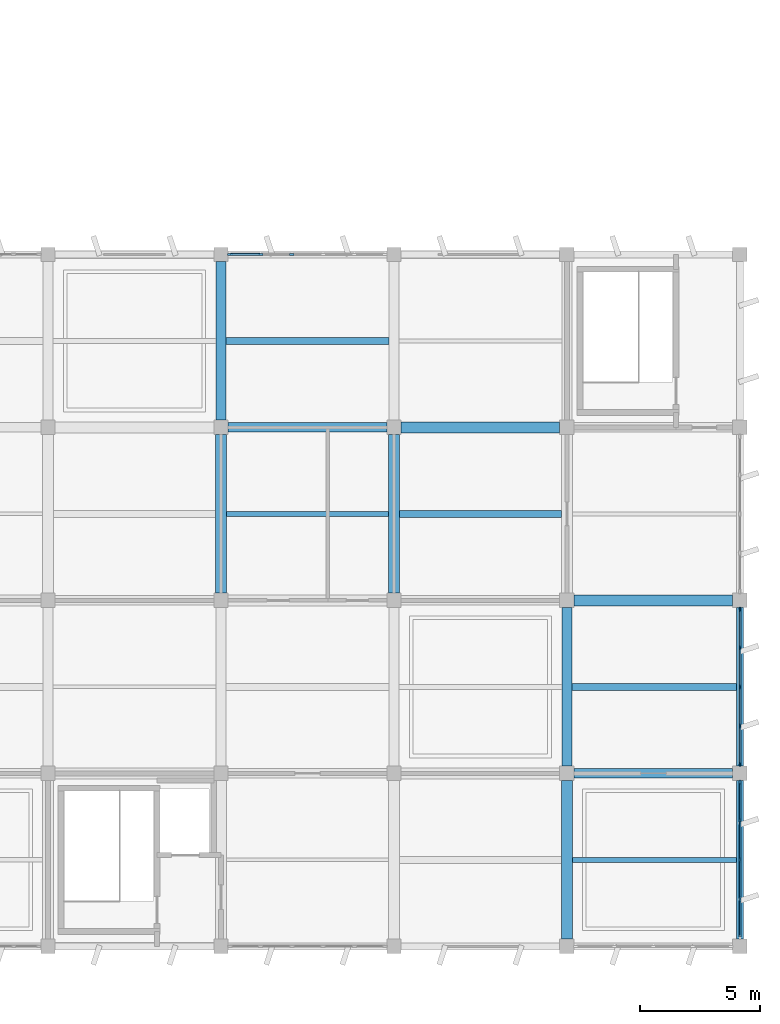
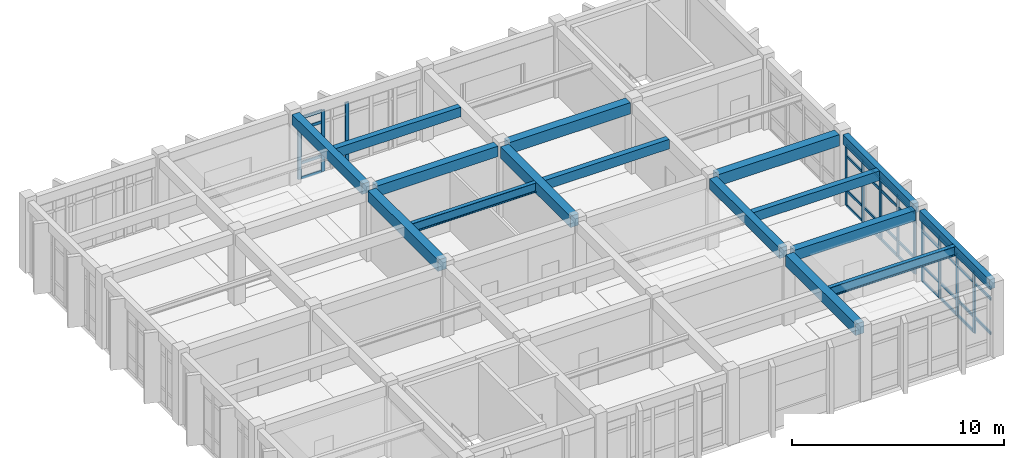
# One storey, part 23 of 70: 49 members, 14 beams, 3 elements without a shape of their own.
"""IFC4 building model written with IfcOpenShell, lengths in metres."""

from ifc_helpers import new_model, si_unit, direction, frame, origin, origin_2d, place, context, subcontext, project, spatial, rectangle, i_section, extrude, material, layer, layer_set, material_profile, profile_set, type_object, element, aggregate, save


model = new_model("IFC4")

# Units and contexts
model_context = context("Model", 3, precision=1e-05, world=origin(), true_north=direction((0.0, 1.0)))
body_context = subcontext(model_context, "Body", "Model", "MODEL_VIEW")
ifc_project = project(units=[si_unit("LENGTHUNIT", "METRE"), si_unit("AREAUNIT", "SQUARE_METRE"), si_unit("VOLUMEUNIT", "CUBIC_METRE"), si_unit("PLANEANGLEUNIT", "RADIAN"), si_unit("MASSUNIT", "GRAM", prefix="KILO")], contexts=[model_context])

# Site, building, storey
site_placement = place(None, origin())
site = spatial("IfcSite", under=ifc_project, at=site_placement, CompositionType="ELEMENT")
building_placement = place(site_placement, origin())
building = spatial("IfcBuilding", under=site, at=building_placement, Name="Kavelor Marine Aquarium", CompositionType="ELEMENT")
storey_placement = place(building_placement, frame((0.0, 0.0, 9.179931640625)))
storey = spatial("IfcBuildingStorey", under=building, at=storey_placement, Name="L02", CompositionType="ELEMENT", Elevation=9.179931640625)

# Beams
ifc_material_1 = material(Name="Concrete C40/50", Category="concrete")
ifc_material_profile_1 = material_profile(ifc_material_1, rectangle(XDim=0.449951171875, YDim=0.64990234375, at=origin_2d()), Name="RC-BM 450x650")
ifc_profile_set_1 = profile_set([ifc_material_profile_1], Name="Concrete C40/50")
beam_type_1 = type_object("IfcBeamType", Name="BM-B3", PredefinedType="BEAM", material=ifc_profile_set_1)
beam_1_placement = place(storey_placement, frame((140.300048828125, 24.39990234375, 3.755126953125), z_axis=(1.0, 0.0, 0.0), x_axis=(0.0, 1.0, 0.0)))
element("IfcBeam", 1, at=beam_1_placement, inside=storey, type_object=beam_type_1, Name="bm:x:L02:L03:19_03", PredefinedType="BEAM", context=body_context, shape_type="SweptSolid", body=[
    extrude(rectangle(XDim=0.449951171875, YDim=0.64990234375, at=origin_2d()), origin(), (0.0, 0.0, 1.0), 6.599853515625),
])
for number, where, z_axis, x_axis, name in (
    (2, (147.5, 17.199951171875, 3.755126953125), (1.0, 0.0, 0.0), (0.0, 1.0, 0.0), "bm:x:L02:L03:20_02"),
    (3, (132.800048828125, 17.5, 3.755126953125), (0.0, 1.0, 0.0), (-1.0, 0.0, 0.0), "bm:y:L02:L03:18_02"),
    (4, (140.0, 17.5, 3.755126953125), (0.0, 1.0, 0.0), (-1.0, 0.0, 0.0), "bm:y:L02:L03:19_02"),
):
    element("IfcBeam", number, at=place(storey_placement, frame(where, z_axis=z_axis, x_axis=x_axis)), inside=storey, type_object=beam_type_1, Name=name, PredefinedType="BEAM", context=body_context, shape_type="SweptSolid", body=[
        extrude(rectangle(XDim=0.449951171875, YDim=0.64990234375, at=origin_2d()), origin(), (0.0, 0.0, 1.0), 6.60009765625),
    ])
beam_2_placement = place(storey_placement, frame((147.199951171875, 3.10009765625, 3.755126953125), z_axis=(0.0, 1.0, 0.0), x_axis=(-1.0, 0.0, 0.0)))
element("IfcBeam", 5, at=beam_2_placement, inside=storey, type_object=beam_type_1, Name="bm:y:L02:L03:20_00", PredefinedType="BEAM", context=body_context, shape_type="SweptSolid", body=[
    extrude(rectangle(XDim=0.449951171875, YDim=0.64990234375, at=origin_2d()), origin(), (0.0, 0.0, 1.0), 6.599853515625),
])
ifc_material_2 = material(Name="Concrete C40/50", Category="concrete")
ifc_material_profile_2 = material_profile(ifc_material_2, rectangle(XDim=0.39990234375, YDim=0.60009765625, at=origin_2d()), Name="RC-BM 400x600")
ifc_profile_set_2 = profile_set([ifc_material_profile_2], Name="Concrete C40/50")
beam_type_2 = type_object("IfcBeamType", Name="BM-B4", PredefinedType="BEAM", material=ifc_profile_set_2)
beam_3_placement = place(storey_placement, frame((133.10009765625, 24.39990234375, 3.780029296875), z_axis=(1.0, 0.0, 0.0), x_axis=(0.0, 1.0, 0.0)))
element("IfcBeam", 6, at=beam_3_placement, inside=storey, type_object=beam_type_2, Name="bm:x:L02:L03:18_03", PredefinedType="BEAM", context=body_context, shape_type="SweptSolid", body=[
    extrude(rectangle(XDim=0.39990234375, YDim=0.60009765625, at=origin_2d()), origin(), (0.0, 0.0, 1.0), 6.599853515625),
])
for number, where, z_axis, x_axis, name in (
    (7, (147.5, 10.0, 3.780029296875), (1.0, 0.0, 0.0), (0.0, 1.0, 0.0), "bm:x:L02:L03:20_01"),
    (8, (132.800048828125, 24.699951171875, 3.780029296875), (0.0, 1.0, 0.0), (-1.0, 0.0, 0.0), "bm:y:L02:L03:18_03"),
):
    element("IfcBeam", number, at=place(storey_placement, frame(where, z_axis=z_axis, x_axis=x_axis)), inside=storey, type_object=beam_type_2, Name=name, PredefinedType="BEAM", context=body_context, shape_type="SweptSolid", body=[
        extrude(rectangle(XDim=0.39990234375, YDim=0.60009765625, at=origin_2d()), origin(), (0.0, 0.0, 1.0), 6.60009765625),
    ])
beam_4_placement = place(storey_placement, frame((147.199951171875, 10.300048828125, 3.780029296875), z_axis=(0.0, 1.0, 0.0), x_axis=(-1.0, 0.0, 0.0)))
element("IfcBeam", 9, at=beam_4_placement, inside=storey, type_object=beam_type_2, Name="bm:y:L02:L03:20_01", PredefinedType="BEAM", context=body_context, shape_type="SweptSolid", body=[
    extrude(rectangle(XDim=0.39990234375, YDim=0.60009765625, at=origin_2d()), origin(), (0.0, 0.0, 1.0), 6.599853515625),
])
ifc_material_3 = material(Name="Concrete C40/50", Category="concrete")
ifc_material_profile_3 = material_profile(ifc_material_3, rectangle(XDim=0.300048828125, YDim=0.550048828125, at=origin_2d()), Name="RC-JS 300x550")
ifc_profile_set_3 = profile_set([ifc_material_profile_3], Name="Concrete C40/50")
beam_type_3 = type_object("IfcBeamType", Name="BM-JS2", PredefinedType="JOIST", material=ifc_profile_set_3)
beam_5_placement = place(storey_placement, frame((133.0, 28.0, 3.80517578125), z_axis=(1.0, 0.0, 0.0), x_axis=(0.0, 1.0, 0.0)))
element("IfcBeam", 10, at=beam_5_placement, inside=storey, type_object=beam_type_3, Name="js:L02:L03:18_03", PredefinedType="JOIST", context=body_context, shape_type="SweptSolid", body=[
    extrude(rectangle(XDim=0.300048828125, YDim=0.550048828125, at=origin_2d()), origin(), (0.0, 0.0, 1.0), 6.800048828125),
])
beam_6_placement = place(storey_placement, frame((140.22509765625, 20.800048828125, 3.80517578125), z_axis=(1.0, 0.0, 0.0), x_axis=(0.0, 1.0, 0.0)))
element("IfcBeam", 11, at=beam_6_placement, inside=storey, type_object=beam_type_3, Name="js:L02:L03:19_02", PredefinedType="JOIST", context=body_context, shape_type="SweptSolid", body=[
    extrude(rectangle(XDim=0.300048828125, YDim=0.550048828125, at=origin_2d()), origin(), (0.0, 0.0, 1.0), 6.75),
])
beam_7_placement = place(storey_placement, frame((147.39990234375, 13.60009765625, 3.80517578125), z_axis=(1.0, 0.0, 0.0), x_axis=(0.0, 1.0, 0.0)))
element("IfcBeam", 12, at=beam_7_placement, inside=storey, type_object=beam_type_3, Name="js:L02:L03:20_01", PredefinedType="JOIST", context=body_context, shape_type="SweptSolid", body=[
    extrude(rectangle(XDim=0.300048828125, YDim=0.550048828125, at=origin_2d()), origin(), (0.0, 0.0, 1.0), 6.85009765625),
])
ifc_material_4 = material(Name="Concrete C40/50", Category="concrete")
ifc_material_profile_4 = material_profile(ifc_material_4, rectangle(XDim=0.300048828125, YDim=0.550048828125, at=origin_2d()), Name="RC-SP 300x550")
ifc_profile_set_4 = profile_set([ifc_material_profile_4], Name="Concrete C40/50")
beam_type_4 = type_object("IfcBeamType", Name="BM-SP2", PredefinedType="SPANDREL", material=ifc_profile_set_4)
for number, where, z_axis, x_axis, name in (
    (13, (154.39990234375, 3.10009765625, 3.80517578125), (0.0, 1.0, 0.0), (-1.0, 0.0, 0.0), "bm:y:L02:L03:21_00"),
    (14, (154.39990234375, 10.300048828125, 3.80517578125), (0.0, 1.0, 0.0), (-1.0, 0.0, 0.0), "bm:y:L02:L03:21_01"),
):
    element("IfcBeam", number, at=place(storey_placement, frame(where, z_axis=z_axis, x_axis=x_axis)), inside=storey, type_object=beam_type_4, Name=name, PredefinedType="SPANDREL", context=body_context, shape_type="SweptSolid", body=[
        extrude(rectangle(XDim=0.300048828125, YDim=0.550048828125, at=origin_2d()), origin(), (0.0, 0.0, 1.0), 6.599853515625),
    ])

# Curtain wall, members
ifc_material_5 = material(Name="Thermally Broken Aluminium and Low-E Glass", Category="aluminium")
ifc_layer_1 = layer(ifc_material_5, 0.243896484375)
ifc_layer_set_1 = layer_set([ifc_layer_1], Name="CW-SYS13")
curtain_wall_type_1 = type_object("IfcCurtainWallType", Name="CW-SYS13", PredefinedType="USERDEFINED", material=ifc_layer_set_1)
curtain_wall_1_placement = place(storey_placement, origin())
curtain_wall_1 = element("IfcCurtainWall", 15, at=curtain_wall_1_placement, inside=storey, type_object=curtain_wall_type_1, Name="cw:y:L02:21_01", ObjectType="Curtain Wall", PredefinedType="USERDEFINED")
ifc_material_6 = material(Name="Anodised Aluminium Alloy 6063-T6", Category="aluminium")
ifc_material_profile_5 = material_profile(ifc_material_6, rectangle(XDim=0.074951171875, YDim=0.179931640625, at=origin_2d()), Name="CW-MUL 75x180")
ifc_profile_set_5 = profile_set([ifc_material_profile_5], Name="Anodised Aluminium Alloy 6063-T6")
member_type_1 = type_object("IfcMemberType", Name="CWM-1", PredefinedType="MULLION", material=ifc_profile_set_5)
member_1_placement = place(storey_placement, frame((154.39990234375, 10.382568359375, 0.0), z_axis=(0.0, 0.0, 1.0), x_axis=(-1.0, 0.0, 0.0)))
member_1 = element("IfcMember", 16, at=member_1_placement, type_object=member_type_1, Name="CW13 mullion 1", PredefinedType="MULLION", context=body_context, shape_type="SweptSolid", body=[
    extrude(rectangle(XDim=0.074951171875, YDim=0.179931640625, at=origin_2d()), origin(), (0.0, 0.0, 1.0), 3.52001953125),
])
member_2_placement = place(storey_placement, frame((154.39990234375, 11.972412109375, 0.0), z_axis=(0.0, 0.0, 1.0), x_axis=(-1.0, 0.0, 0.0)))
member_2 = element("IfcMember", 17, at=member_2_placement, type_object=member_type_1, Name="CW13 mullion 2", PredefinedType="MULLION", context=body_context, shape_type="SweptSolid", body=[
    extrude(rectangle(XDim=0.074951171875, YDim=0.179931640625, at=origin_2d()), origin(), (0.0, 0.0, 1.0), 3.52001953125),
])
member_3_placement = place(storey_placement, frame((154.39990234375, 13.60009765625, 0.0), z_axis=(0.0, 0.0, 1.0), x_axis=(-1.0, 0.0, 0.0)))
member_3 = element("IfcMember", 18, at=member_3_placement, type_object=member_type_1, Name="CW13 mullion 3", PredefinedType="MULLION", context=body_context, shape_type="SweptSolid", body=[
    extrude(rectangle(XDim=0.074951171875, YDim=0.179931640625, at=origin_2d()), origin(), (0.0, 0.0, 1.0), 3.52001953125),
])
member_4_placement = place(storey_placement, frame((154.39990234375, 15.2275390625, 0.0), z_axis=(0.0, 0.0, 1.0), x_axis=(-1.0, 0.0, 0.0)))
member_4 = element("IfcMember", 19, at=member_4_placement, type_object=member_type_1, Name="CW13 mullion 4", PredefinedType="MULLION", context=body_context, shape_type="SweptSolid", body=[
    extrude(rectangle(XDim=0.074951171875, YDim=0.179931640625, at=origin_2d()), origin(), (0.0, 0.0, 1.0), 3.52001953125),
])
member_5_placement = place(storey_placement, frame((154.39990234375, 16.8173828125, 0.0), z_axis=(0.0, 0.0, 1.0), x_axis=(-1.0, 0.0, 0.0)))
member_5 = element("IfcMember", 20, at=member_5_placement, type_object=member_type_1, Name="CW13 mullion 5", PredefinedType="MULLION", context=body_context, shape_type="SweptSolid", body=[
    extrude(rectangle(XDim=0.074951171875, YDim=0.179931640625, at=origin_2d()), origin(), (0.0, 0.0, 1.0), 3.52001953125),
])

ifc_material_7 = material(Name="Thermally Broken Aluminium and Low-E Glass", Category="aluminium")
ifc_layer_2 = layer(ifc_material_7, 0.2119140625)
ifc_layer_set_2 = layer_set([ifc_layer_2], Name="CW-SYS9")
curtain_wall_type_2 = type_object("IfcCurtainWallType", Name="CW-SYS9", PredefinedType="USERDEFINED", material=ifc_layer_set_2)
curtain_wall_2_placement = place(storey_placement, origin())
curtain_wall_2 = element("IfcCurtainWall", 21, at=curtain_wall_2_placement, inside=storey, type_object=curtain_wall_type_2, Name="cw:x:L02:18_04", ObjectType="Curtain Wall", PredefinedType="USERDEFINED")
ifc_material_8 = material(Name="Anodised Aluminium Alloy 6063-T6", Category="aluminium")
ifc_material_profile_6 = material_profile(ifc_material_8, rectangle(XDim=0.0849609375, YDim=0.18994140625, at=origin_2d()), Name="CW-MUL 85x190")
ifc_profile_set_6 = profile_set([ifc_material_profile_6], Name="Anodised Aluminium Alloy 6063-T6")
member_type_2 = type_object("IfcMemberType", Name="CWM-3", PredefinedType="MULLION", material=ifc_profile_set_6)
member_6_placement = place(storey_placement, frame((133.175048828125, 31.60009765625, 0.0), z_axis=(0.0, 0.0, 1.0), x_axis=(0.0, 1.0, 0.0)))
member_6 = element("IfcMember", 22, at=member_6_placement, type_object=member_type_2, Name="CW09 mullion 1", PredefinedType="MULLION", context=body_context, shape_type="SweptSolid", body=[
    extrude(rectangle(XDim=0.0849609375, YDim=0.18994140625, at=origin_2d()), origin(), (0.0, 0.0, 1.0), 3.52001953125),
])
member_7_placement = place(storey_placement, frame((134.447021484375, 31.60009765625, 0.0), z_axis=(0.0, 0.0, 1.0), x_axis=(0.0, 1.0, 0.0)))
member_7 = element("IfcMember", 23, at=member_7_placement, type_object=member_type_2, Name="CW09 mullion 2", PredefinedType="MULLION", context=body_context, shape_type="SweptSolid", body=[
    extrude(rectangle(XDim=0.0849609375, YDim=0.18994140625, at=origin_2d()), origin(), (0.0, 0.0, 1.0), 3.52001953125),
])
member_8_placement = place(storey_placement, frame((135.7490234375, 31.60009765625, 0.0), z_axis=(0.0, 0.0, 1.0), x_axis=(0.0, 1.0, 0.0)))
member_8 = element("IfcMember", 24, at=member_8_placement, type_object=member_type_2, Name="CW09 mullion 3", PredefinedType="MULLION", context=body_context, shape_type="SweptSolid", body=[
    extrude(rectangle(XDim=0.0849609375, YDim=0.18994140625, at=origin_2d()), origin(), (0.0, 0.0, 1.0), 3.52001953125),
])

ifc_material_9 = material(Name="Thermally Broken Aluminium and Low-E Glass", Category="aluminium")
ifc_layer_3 = layer(ifc_material_9, 0.236083984375)
ifc_layer_set_3 = layer_set([ifc_layer_3], Name="CW-SYS12")
curtain_wall_type_3 = type_object("IfcCurtainWallType", Name="CW-SYS12", PredefinedType="USERDEFINED", material=ifc_layer_set_3)
curtain_wall_3_placement = place(storey_placement, origin())
curtain_wall_3 = element("IfcCurtainWall", 25, at=curtain_wall_3_placement, inside=storey, type_object=curtain_wall_type_3, Name="cw:y:L02:21_00", ObjectType="Curtain Wall", PredefinedType="USERDEFINED")
member_9_placement = place(storey_placement, frame((154.39990234375, 4.7724609375, 0.0), z_axis=(0.0, 0.0, 1.0), x_axis=(-1.0, 0.0, 0.0)))
member_9 = element("IfcMember", 26, at=member_9_placement, type_object=member_type_2, Name="CW12 mullion 2", PredefinedType="MULLION", context=body_context, shape_type="SweptSolid", body=[
    extrude(rectangle(XDim=0.0849609375, YDim=0.18994140625, at=origin_2d()), origin(), (0.0, 0.0, 1.0), 3.52001953125),
])
member_10_placement = place(storey_placement, frame((154.39990234375, 6.39990234375, 0.0), z_axis=(0.0, 0.0, 1.0), x_axis=(-1.0, 0.0, 0.0)))
member_10 = element("IfcMember", 27, at=member_10_placement, type_object=member_type_2, Name="CW12 mullion 3", PredefinedType="MULLION", context=body_context, shape_type="SweptSolid", body=[
    extrude(rectangle(XDim=0.0849609375, YDim=0.18994140625, at=origin_2d()), origin(), (0.0, 0.0, 1.0), 3.52001953125),
])
member_11_placement = place(storey_placement, frame((154.39990234375, 8.027587890625, 0.0), z_axis=(0.0, 0.0, 1.0), x_axis=(-1.0, 0.0, 0.0)))
member_11 = element("IfcMember", 28, at=member_11_placement, type_object=member_type_2, Name="CW12 mullion 4", PredefinedType="MULLION", context=body_context, shape_type="SweptSolid", body=[
    extrude(rectangle(XDim=0.0849609375, YDim=0.18994140625, at=origin_2d()), origin(), (0.0, 0.0, 1.0), 3.52001953125),
])
member_12_placement = place(storey_placement, frame((154.39990234375, 9.625, 0.0), z_axis=(0.0, 0.0, 1.0), x_axis=(-1.0, 0.0, 0.0)))
member_12 = element("IfcMember", 29, at=member_12_placement, type_object=member_type_2, Name="CW12 mullion 5", PredefinedType="MULLION", context=body_context, shape_type="SweptSolid", body=[
    extrude(rectangle(XDim=0.0849609375, YDim=0.18994140625, at=origin_2d()), origin(), (0.0, 0.0, 1.0), 3.52001953125),
])
ifc_material_10 = material(Name="Anodised Aluminium Alloy 6063-T6", Category="aluminium")
ifc_material_profile_7 = material_profile(ifc_material_10, rectangle(XDim=0.074951171875, YDim=0.14990234375, at=origin_2d()), Name="CW-TRN 75x150")
ifc_profile_set_7 = profile_set([ifc_material_profile_7], Name="Anodised Aluminium Alloy 6063-T6")
member_type_3 = type_object("IfcMemberType", Name="CWT-1", PredefinedType="USERDEFINED", material=ifc_profile_set_7)
member_13_placement = place(storey_placement, frame((154.39990234375, 3.205078125, 0.900146484375), z_axis=(0.0, 1.0, 0.0), x_axis=(-1.0, 0.0, 0.0)))
member_13 = element("IfcMember", 30, at=member_13_placement, type_object=member_type_3, Name="CW12 transom 1.2", ObjectType="TRANSOM", PredefinedType="USERDEFINED", context=body_context, shape_type="SweptSolid", body=[
    extrude(rectangle(XDim=0.074951171875, YDim=0.14990234375, at=origin_2d()), origin(), (0.0, 0.0, 1.0), 1.537353515625),
])
member_14_placement = place(storey_placement, frame((154.39990234375, 3.205078125, 2.8701171875), z_axis=(0.0, 1.0, 0.0), x_axis=(-1.0, 0.0, 0.0)))
member_14 = element("IfcMember", 31, at=member_14_placement, type_object=member_type_3, Name="CW12 transom 1.3", ObjectType="TRANSOM", PredefinedType="USERDEFINED", context=body_context, shape_type="SweptSolid", body=[
    extrude(rectangle(XDim=0.074951171875, YDim=0.14990234375, at=origin_2d()), origin(), (0.0, 0.0, 1.0), 1.537353515625),
])
member_15_placement = place(storey_placement, frame((154.39990234375, 3.205078125, 3.482666015625), z_axis=(0.0, 1.0, 0.0), x_axis=(-1.0, 0.0, 0.0)))
member_15 = element("IfcMember", 32, at=member_15_placement, type_object=member_type_3, Name="CW12 transom 1.4", ObjectType="TRANSOM", PredefinedType="USERDEFINED", context=body_context, shape_type="SweptSolid", body=[
    extrude(rectangle(XDim=0.074951171875, YDim=0.14990234375, at=origin_2d()), origin(), (0.0, 0.0, 1.0), 1.537353515625),
])
member_16_placement = place(storey_placement, frame((154.39990234375, 4.802490234375, 0.03759765625), z_axis=(0.0, 1.0, 0.0), x_axis=(-1.0, 0.0, 0.0)))
member_16 = element("IfcMember", 33, at=member_16_placement, type_object=member_type_3, Name="CW12 transom 2.1", ObjectType="TRANSOM", PredefinedType="USERDEFINED", context=body_context, shape_type="SweptSolid", body=[
    extrude(rectangle(XDim=0.074951171875, YDim=0.14990234375, at=origin_2d()), origin(), (0.0, 0.0, 1.0), 1.567626953125),
])
member_17_placement = place(storey_placement, frame((154.39990234375, 4.802490234375, 0.900146484375), z_axis=(0.0, 1.0, 0.0), x_axis=(-1.0, 0.0, 0.0)))
member_17 = element("IfcMember", 34, at=member_17_placement, type_object=member_type_3, Name="CW12 transom 2.2", ObjectType="TRANSOM", PredefinedType="USERDEFINED", context=body_context, shape_type="SweptSolid", body=[
    extrude(rectangle(XDim=0.074951171875, YDim=0.14990234375, at=origin_2d()), origin(), (0.0, 0.0, 1.0), 1.567626953125),
])
member_18_placement = place(storey_placement, frame((154.39990234375, 4.802490234375, 2.8701171875), z_axis=(0.0, 1.0, 0.0), x_axis=(-1.0, 0.0, 0.0)))
member_18 = element("IfcMember", 35, at=member_18_placement, type_object=member_type_3, Name="CW12 transom 2.3", ObjectType="TRANSOM", PredefinedType="USERDEFINED", context=body_context, shape_type="SweptSolid", body=[
    extrude(rectangle(XDim=0.074951171875, YDim=0.14990234375, at=origin_2d()), origin(), (0.0, 0.0, 1.0), 1.567626953125),
])
member_19_placement = place(storey_placement, frame((154.39990234375, 4.802490234375, 3.482666015625), z_axis=(0.0, 1.0, 0.0), x_axis=(-1.0, 0.0, 0.0)))
member_19 = element("IfcMember", 36, at=member_19_placement, type_object=member_type_3, Name="CW12 transom 2.4", ObjectType="TRANSOM", PredefinedType="USERDEFINED", context=body_context, shape_type="SweptSolid", body=[
    extrude(rectangle(XDim=0.074951171875, YDim=0.14990234375, at=origin_2d()), origin(), (0.0, 0.0, 1.0), 1.567626953125),
])
member_20_placement = place(storey_placement, frame((154.39990234375, 6.429931640625, 0.03759765625), z_axis=(0.0, 1.0, 0.0), x_axis=(-1.0, 0.0, 0.0)))
member_20 = element("IfcMember", 37, at=member_20_placement, type_object=member_type_3, Name="CW12 transom 3.1", ObjectType="TRANSOM", PredefinedType="USERDEFINED", context=body_context, shape_type="SweptSolid", body=[
    extrude(rectangle(XDim=0.074951171875, YDim=0.14990234375, at=origin_2d()), origin(), (0.0, 0.0, 1.0), 1.567626953125),
])
member_21_placement = place(storey_placement, frame((154.39990234375, 6.429931640625, 0.900146484375), z_axis=(0.0, 1.0, 0.0), x_axis=(-1.0, 0.0, 0.0)))
member_21 = element("IfcMember", 38, at=member_21_placement, type_object=member_type_3, Name="CW12 transom 3.2", ObjectType="TRANSOM", PredefinedType="USERDEFINED", context=body_context, shape_type="SweptSolid", body=[
    extrude(rectangle(XDim=0.074951171875, YDim=0.14990234375, at=origin_2d()), origin(), (0.0, 0.0, 1.0), 1.567626953125),
])
member_22_placement = place(storey_placement, frame((154.39990234375, 6.429931640625, 2.8701171875), z_axis=(0.0, 1.0, 0.0), x_axis=(-1.0, 0.0, 0.0)))
member_22 = element("IfcMember", 39, at=member_22_placement, type_object=member_type_3, Name="CW12 transom 3.3", ObjectType="TRANSOM", PredefinedType="USERDEFINED", context=body_context, shape_type="SweptSolid", body=[
    extrude(rectangle(XDim=0.074951171875, YDim=0.14990234375, at=origin_2d()), origin(), (0.0, 0.0, 1.0), 1.567626953125),
])
member_23_placement = place(storey_placement, frame((154.39990234375, 6.429931640625, 3.482666015625), z_axis=(0.0, 1.0, 0.0), x_axis=(-1.0, 0.0, 0.0)))
member_23 = element("IfcMember", 40, at=member_23_placement, type_object=member_type_3, Name="CW12 transom 3.4", ObjectType="TRANSOM", PredefinedType="USERDEFINED", context=body_context, shape_type="SweptSolid", body=[
    extrude(rectangle(XDim=0.074951171875, YDim=0.14990234375, at=origin_2d()), origin(), (0.0, 0.0, 1.0), 1.567626953125),
])
member_24_placement = place(storey_placement, frame((154.39990234375, 8.0576171875, 0.03759765625), z_axis=(0.0, 1.0, 0.0), x_axis=(-1.0, 0.0, 0.0)))
member_24 = element("IfcMember", 41, at=member_24_placement, type_object=member_type_3, Name="CW12 transom 4.1", ObjectType="TRANSOM", PredefinedType="USERDEFINED", context=body_context, shape_type="SweptSolid", body=[
    extrude(rectangle(XDim=0.074951171875, YDim=0.14990234375, at=origin_2d()), origin(), (0.0, 0.0, 1.0), 1.537353515625),
])
member_25_placement = place(storey_placement, frame((154.39990234375, 8.0576171875, 0.900146484375), z_axis=(0.0, 1.0, 0.0), x_axis=(-1.0, 0.0, 0.0)))
member_25 = element("IfcMember", 42, at=member_25_placement, type_object=member_type_3, Name="CW12 transom 4.2", ObjectType="TRANSOM", PredefinedType="USERDEFINED", context=body_context, shape_type="SweptSolid", body=[
    extrude(rectangle(XDim=0.074951171875, YDim=0.14990234375, at=origin_2d()), origin(), (0.0, 0.0, 1.0), 1.537353515625),
])
member_26_placement = place(storey_placement, frame((154.39990234375, 8.0576171875, 2.8701171875), z_axis=(0.0, 1.0, 0.0), x_axis=(-1.0, 0.0, 0.0)))
member_26 = element("IfcMember", 43, at=member_26_placement, type_object=member_type_3, Name="CW12 transom 4.3", ObjectType="TRANSOM", PredefinedType="USERDEFINED", context=body_context, shape_type="SweptSolid", body=[
    extrude(rectangle(XDim=0.074951171875, YDim=0.14990234375, at=origin_2d()), origin(), (0.0, 0.0, 1.0), 1.537353515625),
])
member_27_placement = place(storey_placement, frame((154.39990234375, 8.0576171875, 3.482666015625), z_axis=(0.0, 1.0, 0.0), x_axis=(-1.0, 0.0, 0.0)))
member_27 = element("IfcMember", 44, at=member_27_placement, type_object=member_type_3, Name="CW12 transom 4.4", ObjectType="TRANSOM", PredefinedType="USERDEFINED", context=body_context, shape_type="SweptSolid", body=[
    extrude(rectangle(XDim=0.074951171875, YDim=0.14990234375, at=origin_2d()), origin(), (0.0, 0.0, 1.0), 1.537353515625),
])
aggregate(curtain_wall_3, [member_9, member_10, member_11, member_12, member_13, member_14, member_15, member_16, member_17, member_18, member_19, member_20, member_21, member_22, member_23, member_24, member_25, member_26, member_27])

# Member
member_28_placement = place(storey_placement, frame((154.39990234375, 10.419921875, 0.03759765625), z_axis=(0.0, 1.0, 0.0), x_axis=(-1.0, 0.0, 0.0)))
member_28 = element("IfcMember", 45, at=member_28_placement, type_object=member_type_3, Name="CW13 transom 1.1", ObjectType="TRANSOM", PredefinedType="USERDEFINED", context=body_context, shape_type="SweptSolid", body=[
    extrude(rectangle(XDim=0.074951171875, YDim=0.14990234375, at=origin_2d()), origin(), (0.0, 0.0, 1.0), 1.51513671875),
])

member_29_placement = place(storey_placement, frame((154.39990234375, 10.419921875, 0.900146484375), z_axis=(0.0, 1.0, 0.0), x_axis=(-1.0, 0.0, 0.0)))
member_29 = element("IfcMember", 46, at=member_29_placement, type_object=member_type_3, Name="CW13 transom 1.2", ObjectType="TRANSOM", PredefinedType="USERDEFINED", context=body_context, shape_type="SweptSolid", body=[
    extrude(rectangle(XDim=0.074951171875, YDim=0.14990234375, at=origin_2d()), origin(), (0.0, 0.0, 1.0), 1.51513671875),
])

member_30_placement = place(storey_placement, frame((154.39990234375, 10.419921875, 2.8701171875), z_axis=(0.0, 1.0, 0.0), x_axis=(-1.0, 0.0, 0.0)))
member_30 = element("IfcMember", 47, at=member_30_placement, type_object=member_type_3, Name="CW13 transom 1.3", ObjectType="TRANSOM", PredefinedType="USERDEFINED", context=body_context, shape_type="SweptSolid", body=[
    extrude(rectangle(XDim=0.074951171875, YDim=0.14990234375, at=origin_2d()), origin(), (0.0, 0.0, 1.0), 1.51513671875),
])

member_31_placement = place(storey_placement, frame((154.39990234375, 10.419921875, 3.482666015625), z_axis=(0.0, 1.0, 0.0), x_axis=(-1.0, 0.0, 0.0)))
member_31 = element("IfcMember", 48, at=member_31_placement, type_object=member_type_3, Name="CW13 transom 1.4", ObjectType="TRANSOM", PredefinedType="USERDEFINED", context=body_context, shape_type="SweptSolid", body=[
    extrude(rectangle(XDim=0.074951171875, YDim=0.14990234375, at=origin_2d()), origin(), (0.0, 0.0, 1.0), 1.51513671875),
])

member_32_placement = place(storey_placement, frame((154.39990234375, 12.010009765625, 0.03759765625), z_axis=(0.0, 1.0, 0.0), x_axis=(-1.0, 0.0, 0.0)))
member_32 = element("IfcMember", 49, at=member_32_placement, type_object=member_type_3, Name="CW13 transom 2.1", ObjectType="TRANSOM", PredefinedType="USERDEFINED", context=body_context, shape_type="SweptSolid", body=[
    extrude(rectangle(XDim=0.074951171875, YDim=0.14990234375, at=origin_2d()), origin(), (0.0, 0.0, 1.0), 1.552490234375),
])

member_33_placement = place(storey_placement, frame((154.39990234375, 12.010009765625, 0.900146484375), z_axis=(0.0, 1.0, 0.0), x_axis=(-1.0, 0.0, 0.0)))
member_33 = element("IfcMember", 50, at=member_33_placement, type_object=member_type_3, Name="CW13 transom 2.2", ObjectType="TRANSOM", PredefinedType="USERDEFINED", context=body_context, shape_type="SweptSolid", body=[
    extrude(rectangle(XDim=0.074951171875, YDim=0.14990234375, at=origin_2d()), origin(), (0.0, 0.0, 1.0), 1.552490234375),
])

member_34_placement = place(storey_placement, frame((154.39990234375, 12.010009765625, 2.8701171875), z_axis=(0.0, 1.0, 0.0), x_axis=(-1.0, 0.0, 0.0)))
member_34 = element("IfcMember", 51, at=member_34_placement, type_object=member_type_3, Name="CW13 transom 2.3", ObjectType="TRANSOM", PredefinedType="USERDEFINED", context=body_context, shape_type="SweptSolid", body=[
    extrude(rectangle(XDim=0.074951171875, YDim=0.14990234375, at=origin_2d()), origin(), (0.0, 0.0, 1.0), 1.552490234375),
])

member_35_placement = place(storey_placement, frame((154.39990234375, 12.010009765625, 3.482666015625), z_axis=(0.0, 1.0, 0.0), x_axis=(-1.0, 0.0, 0.0)))
member_35 = element("IfcMember", 52, at=member_35_placement, type_object=member_type_3, Name="CW13 transom 2.4", ObjectType="TRANSOM", PredefinedType="USERDEFINED", context=body_context, shape_type="SweptSolid", body=[
    extrude(rectangle(XDim=0.074951171875, YDim=0.14990234375, at=origin_2d()), origin(), (0.0, 0.0, 1.0), 1.552490234375),
])

member_36_placement = place(storey_placement, frame((154.39990234375, 13.637451171875, 0.03759765625), z_axis=(0.0, 1.0, 0.0), x_axis=(-1.0, 0.0, 0.0)))
member_36 = element("IfcMember", 53, at=member_36_placement, type_object=member_type_3, Name="CW13 transom 3.1", ObjectType="TRANSOM", PredefinedType="USERDEFINED", context=body_context, shape_type="SweptSolid", body=[
    extrude(rectangle(XDim=0.074951171875, YDim=0.14990234375, at=origin_2d()), origin(), (0.0, 0.0, 1.0), 1.552490234375),
])

member_37_placement = place(storey_placement, frame((154.39990234375, 13.637451171875, 0.900146484375), z_axis=(0.0, 1.0, 0.0), x_axis=(-1.0, 0.0, 0.0)))
member_37 = element("IfcMember", 54, at=member_37_placement, type_object=member_type_3, Name="CW13 transom 3.2", ObjectType="TRANSOM", PredefinedType="USERDEFINED", context=body_context, shape_type="SweptSolid", body=[
    extrude(rectangle(XDim=0.074951171875, YDim=0.14990234375, at=origin_2d()), origin(), (0.0, 0.0, 1.0), 1.552490234375),
])

member_38_placement = place(storey_placement, frame((154.39990234375, 13.637451171875, 2.8701171875), z_axis=(0.0, 1.0, 0.0), x_axis=(-1.0, 0.0, 0.0)))
member_38 = element("IfcMember", 55, at=member_38_placement, type_object=member_type_3, Name="CW13 transom 3.3", ObjectType="TRANSOM", PredefinedType="USERDEFINED", context=body_context, shape_type="SweptSolid", body=[
    extrude(rectangle(XDim=0.074951171875, YDim=0.14990234375, at=origin_2d()), origin(), (0.0, 0.0, 1.0), 1.552490234375),
])

member_39_placement = place(storey_placement, frame((154.39990234375, 13.637451171875, 3.482666015625), z_axis=(0.0, 1.0, 0.0), x_axis=(-1.0, 0.0, 0.0)))
member_39 = element("IfcMember", 56, at=member_39_placement, type_object=member_type_3, Name="CW13 transom 3.4", ObjectType="TRANSOM", PredefinedType="USERDEFINED", context=body_context, shape_type="SweptSolid", body=[
    extrude(rectangle(XDim=0.074951171875, YDim=0.14990234375, at=origin_2d()), origin(), (0.0, 0.0, 1.0), 1.552490234375),
])

member_40_placement = place(storey_placement, frame((154.39990234375, 15.264892578125, 0.03759765625), z_axis=(0.0, 1.0, 0.0), x_axis=(-1.0, 0.0, 0.0)))
member_40 = element("IfcMember", 57, at=member_40_placement, type_object=member_type_3, Name="CW13 transom 4.1", ObjectType="TRANSOM", PredefinedType="USERDEFINED", context=body_context, shape_type="SweptSolid", body=[
    extrude(rectangle(XDim=0.074951171875, YDim=0.14990234375, at=origin_2d()), origin(), (0.0, 0.0, 1.0), 1.51513671875),
])

member_41_placement = place(storey_placement, frame((154.39990234375, 15.264892578125, 0.900146484375), z_axis=(0.0, 1.0, 0.0), x_axis=(-1.0, 0.0, 0.0)))
member_41 = element("IfcMember", 58, at=member_41_placement, type_object=member_type_3, Name="CW13 transom 4.2", ObjectType="TRANSOM", PredefinedType="USERDEFINED", context=body_context, shape_type="SweptSolid", body=[
    extrude(rectangle(XDim=0.074951171875, YDim=0.14990234375, at=origin_2d()), origin(), (0.0, 0.0, 1.0), 1.51513671875),
])

member_42_placement = place(storey_placement, frame((154.39990234375, 15.264892578125, 2.8701171875), z_axis=(0.0, 1.0, 0.0), x_axis=(-1.0, 0.0, 0.0)))
member_42 = element("IfcMember", 59, at=member_42_placement, type_object=member_type_3, Name="CW13 transom 4.3", ObjectType="TRANSOM", PredefinedType="USERDEFINED", context=body_context, shape_type="SweptSolid", body=[
    extrude(rectangle(XDim=0.074951171875, YDim=0.14990234375, at=origin_2d()), origin(), (0.0, 0.0, 1.0), 1.51513671875),
])

member_43_placement = place(storey_placement, frame((154.39990234375, 15.264892578125, 3.482666015625), z_axis=(0.0, 1.0, 0.0), x_axis=(-1.0, 0.0, 0.0)))
member_43 = element("IfcMember", 60, at=member_43_placement, type_object=member_type_3, Name="CW13 transom 4.4", ObjectType="TRANSOM", PredefinedType="USERDEFINED", context=body_context, shape_type="SweptSolid", body=[
    extrude(rectangle(XDim=0.074951171875, YDim=0.14990234375, at=origin_2d()), origin(), (0.0, 0.0, 1.0), 1.51513671875),
])

aggregate(curtain_wall_1, [member_1, member_2, member_3, member_4, member_5, member_28, member_29, member_30, member_31, member_32, member_33, member_34, member_35, member_36, member_37, member_38, member_39, member_40, member_41, member_42, member_43])

ifc_material_11 = material(Name="Anodised Aluminium Alloy 6063-T6", Category="aluminium")
ifc_material_profile_8 = material_profile(ifc_material_11, rectangle(XDim=0.080078125, YDim=0.155029296875, at=origin_2d()), Name="CW-TRN 80x155")
ifc_profile_set_8 = profile_set([ifc_material_profile_8], Name="Anodised Aluminium Alloy 6063-T6")
member_type_4 = type_object("IfcMemberType", Name="CWT-2", PredefinedType="USERDEFINED", material=ifc_profile_set_8)
member_44_placement = place(storey_placement, frame((133.205078125, 31.60009765625, 0.032470703125), z_axis=(1.0, 0.0, 0.0), x_axis=(0.0, 1.0, 0.0)))
member_44 = element("IfcMember", 61, at=member_44_placement, type_object=member_type_4, Name="CW09 transom 1.1", ObjectType="TRANSOM", PredefinedType="USERDEFINED", context=body_context, shape_type="SweptSolid", body=[
    extrude(rectangle(XDim=0.080078125, YDim=0.155029296875, at=origin_2d()), origin(), (0.0, 0.0, 1.0), 1.2119140625),
])

member_45_placement = place(storey_placement, frame((133.205078125, 31.60009765625, 0.900146484375), z_axis=(1.0, 0.0, 0.0), x_axis=(0.0, 1.0, 0.0)))
member_45 = element("IfcMember", 62, at=member_45_placement, type_object=member_type_4, Name="CW09 transom 1.2", ObjectType="TRANSOM", PredefinedType="USERDEFINED", context=body_context, shape_type="SweptSolid", body=[
    extrude(rectangle(XDim=0.080078125, YDim=0.155029296875, at=origin_2d()), origin(), (0.0, 0.0, 1.0), 1.2119140625),
])

member_46_placement = place(storey_placement, frame((133.205078125, 31.60009765625, 2.8701171875), z_axis=(1.0, 0.0, 0.0), x_axis=(0.0, 1.0, 0.0)))
member_46 = element("IfcMember", 63, at=member_46_placement, type_object=member_type_4, Name="CW09 transom 1.3", ObjectType="TRANSOM", PredefinedType="USERDEFINED", context=body_context, shape_type="SweptSolid", body=[
    extrude(rectangle(XDim=0.080078125, YDim=0.155029296875, at=origin_2d()), origin(), (0.0, 0.0, 1.0), 1.2119140625),
])

member_47_placement = place(storey_placement, frame((133.205078125, 31.60009765625, 3.487548828125), z_axis=(1.0, 0.0, 0.0), x_axis=(0.0, 1.0, 0.0)))
member_47 = element("IfcMember", 64, at=member_47_placement, type_object=member_type_4, Name="CW09 transom 1.4", ObjectType="TRANSOM", PredefinedType="USERDEFINED", context=body_context, shape_type="SweptSolid", body=[
    extrude(rectangle(XDim=0.080078125, YDim=0.155029296875, at=origin_2d()), origin(), (0.0, 0.0, 1.0), 1.2119140625),
])

aggregate(curtain_wall_2, [member_6, member_7, member_8, member_44, member_45, member_46, member_47])

# Members
ifc_material_12 = material(Name="Steel S355", Category="steel")
ifc_material_profile_9 = material_profile(ifc_material_12, i_section(OverallWidth=0.2099609375, OverallDepth=0.550048828125, WebThickness=0.010986328125, FlangeThickness=0.01708984375, FilletRadius=0.02392578125, at=origin_2d()), Name="IPE 550")
ifc_profile_set_9 = profile_set([ifc_material_profile_9], Name="Steel S355")
member_type_5 = type_object("IfcMemberType", Name="PR-SJ1", PredefinedType="PURLIN", material=ifc_profile_set_9)
member_48_placement = place(storey_placement, frame((133.02490234375, 20.800048828125, 3.80517578125), z_axis=(1.0, 0.0, 0.0), x_axis=(0.0, 1.0, 0.0)))
element("IfcMember", 65, at=member_48_placement, inside=storey, type_object=member_type_5, Name="js:L02:L03:18_02", PredefinedType="PURLIN", context=body_context, shape_type="SweptSolid", body=[
    extrude(i_section(OverallWidth=0.2099609375, OverallDepth=0.550048828125, WebThickness=0.010986328125, FlangeThickness=0.01708984375, FilletRadius=0.02392578125, at=origin_2d()), origin(), (0.0, 0.0, 1.0), 6.75),
])
member_49_placement = place(storey_placement, frame((147.425048828125, 6.39990234375, 3.80517578125), z_axis=(1.0, 0.0, 0.0), x_axis=(0.0, 1.0, 0.0)))
element("IfcMember", 66, at=member_49_placement, inside=storey, type_object=member_type_5, Name="js:L02:L03:20_00", PredefinedType="PURLIN", context=body_context, shape_type="SweptSolid", body=[
    extrude(i_section(OverallWidth=0.2099609375, OverallDepth=0.550048828125, WebThickness=0.010986328125, FlangeThickness=0.01708984375, FilletRadius=0.02392578125, at=origin_2d()), origin(), (0.0, 0.0, 1.0), 6.824951171875),
])

save(model, "model.ifc")
